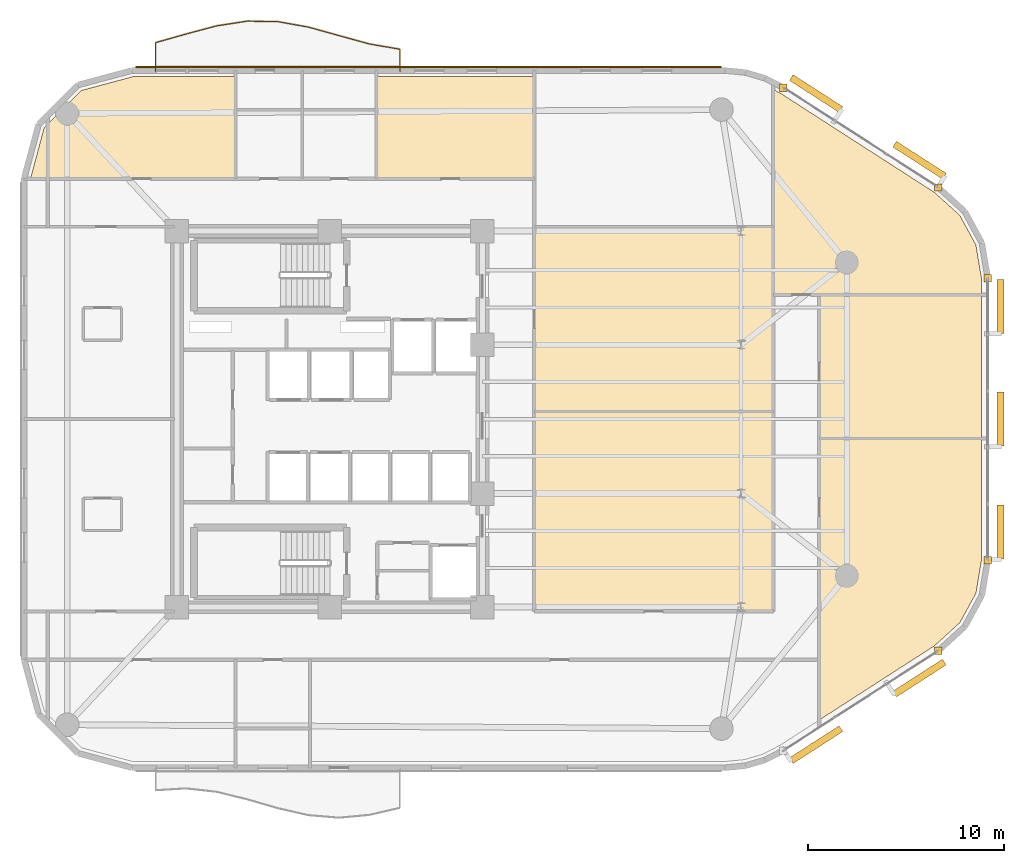
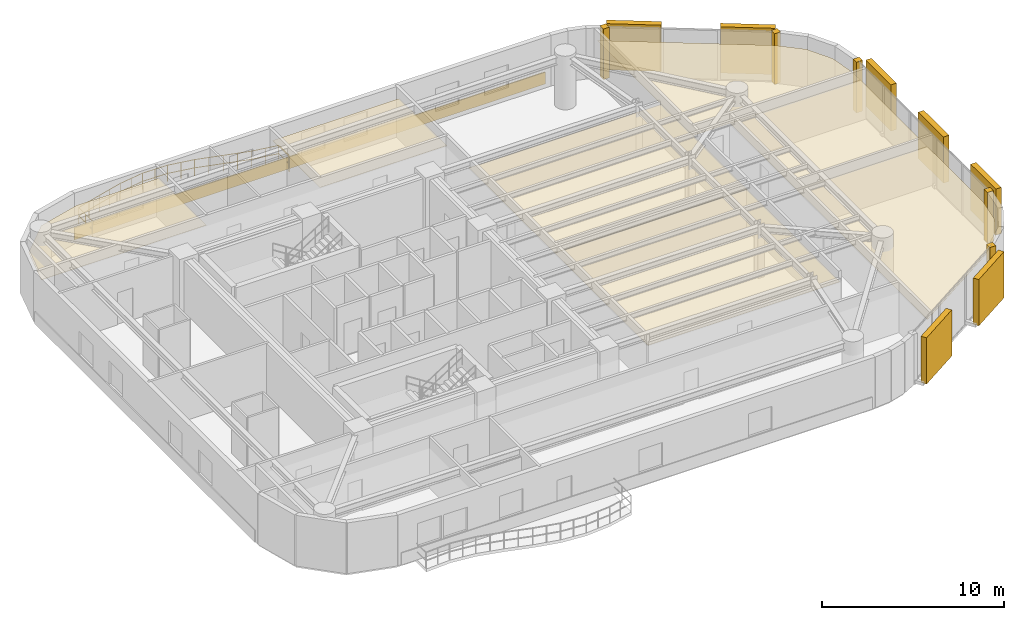
# One storey, part 15 of 15: 13 coverings, 7 shading devices, 1 railing.
"""IFC4 building model written with IfcOpenShell, lengths in metres."""

from ifc_helpers import new_model, si_unit, direction, frame, origin, origin_2d, place, context, subcontext, project, spatial, polyline, rectangle, circle, outline, extrude, material, layer, layer_set, type_object, element, save


model = new_model("IFC4")

# Units and contexts
model_context = context("Model", 3, precision=1e-05, world=origin(), true_north=direction((0.0, 1.0)))
body_context = subcontext(model_context, "Body", "Model", "MODEL_VIEW")
ifc_project = project(units=[si_unit("LENGTHUNIT", "METRE"), si_unit("AREAUNIT", "SQUARE_METRE"), si_unit("VOLUMEUNIT", "CUBIC_METRE"), si_unit("PLANEANGLEUNIT", "RADIAN"), si_unit("MASSUNIT", "GRAM", prefix="KILO")], contexts=[model_context])

# Site, building, storey
site_placement = place(None, origin())
site = spatial("IfcSite", under=ifc_project, at=site_placement, CompositionType="ELEMENT")
building_placement = place(site_placement, origin())
building = spatial("IfcBuilding", under=site, at=building_placement, Name="An Khanh Terracotta Commons", CompositionType="ELEMENT")
storey_placement = place(building_placement, frame((0.0, 0.0, 169.0)))
storey = spatial("IfcBuildingStorey", under=building, at=storey_placement, Name="L44", CompositionType="ELEMENT", Elevation=169.0)

# Coverings
ifc_material_1 = material(Name="Perforated Mineral-Fibre Acoustic Tile")
ifc_layer_1 = layer(ifc_material_1, 0.02001953125, Name="Perforated Mineral-Fibre Acoustic Tile")
ifc_layer_set_1 = layer_set([ifc_layer_1], Name="Perforated Mineral-Fibre Acoustic Tile")
covering_type_1 = type_object("IfcCoveringType", Name="CEIL-ACOUSTIC-18", PredefinedType="CEILING", material=ifc_layer_set_1)
covering_1_placement = place(storey_placement, frame((0.0, 0.0, 2.64990234375)))
element("IfcCovering", 1, at=covering_1_placement, inside=storey, type_object=covering_type_1, Name="L44 Riverfront Reading Hall Ceiling", PredefinedType="CEILING", context=body_context, shape_type="SweptSolid", body=[
    extrude(outline(polyline([(39.85009765625, 24.39990234375), (52.050048828125, 24.39990234375), (52.050048828125, 14.179931640625), (39.85009765625, 14.179931640625), (39.85009765625, 24.39990234375)])), origin(), (0.0, 0.0, 1.0), 0.02001953125),
])
covering_2_placement = place(storey_placement, frame((0.0, 0.0, 2.64990234375)))
element("IfcCovering", 2, at=covering_2_placement, inside=storey, type_object=covering_type_1, Name="L44 Academic Seminar Room Ceiling", PredefinedType="CEILING", context=body_context, shape_type="SweptSolid", body=[
    extrude(outline(polyline([(39.85009765625, 33.820068359375), (52.050048828125, 33.820068359375), (52.050048828125, 30.35009765625), (52.050048828125, 24.39990234375), (39.85009765625, 24.39990234375), (39.85009765625, 33.820068359375)])), origin(), (0.0, 0.0, 1.0), 0.02001953125),
])
covering_3_placement = place(storey_placement, frame((0.0, 0.0, 2.64990234375)))
element("IfcCovering", 3, at=covering_3_placement, inside=storey, type_object=covering_type_1, Name="L44 Collaborative Study Lounge Ceiling", PredefinedType="CEILING", context=body_context, shape_type="SweptSolid", body=[
    extrude(outline(polyline([(52.39892578125, 40.64697265625), (60.281982421875, 35.569091796875), (61.571044921875, 34.39697265625), (62.39111328125, 32.89111328125), (62.679931640625, 31.173095703125), (62.679931640625, 30.35009765625), (54.39990234375, 30.35009765625), (52.050048828125, 30.35009765625), (52.050048828125, 40.827880859375), (52.39892578125, 40.64697265625)])), origin(), (0.0, 0.0, 1.0), 0.02001953125),
])
covering_4_placement = place(storey_placement, frame((0.0, 0.0, 2.64990234375)))
element("IfcCovering", 4, at=covering_4_placement, inside=storey, type_object=covering_type_1, Name="L44 Collaborative Study Lounge Ceiling", PredefinedType="CEILING", context=body_context, shape_type="SweptSolid", body=[
    extrude(outline(polyline([(62.679931640625, 23.0), (54.39990234375, 23.0), (54.39990234375, 30.35009765625), (62.679931640625, 30.35009765625), (62.679931640625, 23.0)])), origin(), (0.0, 0.0, 1.0), 0.02001953125),
])
covering_5_placement = place(storey_placement, frame((0.0, 0.0, 2.64990234375)))
element("IfcCovering", 5, at=covering_5_placement, inside=storey, type_object=covering_type_1, Name="L44 Collaborative Study Lounge Ceiling", PredefinedType="CEILING", context=body_context, shape_type="SweptSolid", body=[
    extrude(outline(polyline([(62.679931640625, 16.826904296875), (62.39111328125, 15.10888671875), (61.571044921875, 13.60302734375), (60.281982421875, 12.430908203125), (54.39990234375, 8.64208984375), (54.39990234375, 11.719970703125), (54.39990234375, 14.179931640625), (54.39990234375, 23.0), (62.679931640625, 23.0), (62.679931640625, 16.826904296875)])), origin(), (0.0, 0.0, 1.0), 0.02001953125),
])
covering_6_placement = place(storey_placement, frame((0.0, 0.0, 2.64990234375)))
element("IfcCovering", 6, at=covering_6_placement, inside=storey, type_object=covering_type_1, Name="L44 Academic Seminar Room Ceiling", PredefinedType="CEILING", context=body_context, shape_type="SweptSolid", body=[
    extrude(outline(polyline([(19.342041015625, 41.47998046875), (24.60009765625, 41.47998046875), (24.60009765625, 39.800048828125), (24.60009765625, 36.280029296875), (15.0, 36.280029296875), (14.1259765625, 36.280029296875), (14.823974609375, 38.884033203125), (16.716064453125, 40.77587890625), (19.342041015625, 41.47998046875)])), origin(), (0.0, 0.0, 1.0), 0.02001953125),
])
covering_7_placement = place(storey_placement, frame((0.0, 0.0, 2.64990234375)))
element("IfcCovering", 7, at=covering_7_placement, inside=storey, type_object=covering_type_1, Name="L44 Academic Seminar Room Ceiling", PredefinedType="CEILING", context=body_context, shape_type="SweptSolid", body=[
    extrude(outline(polyline([(39.85009765625, 41.47998046875), (39.85009765625, 36.280029296875), (37.5, 36.280029296875), (31.800048828125, 36.280029296875), (31.800048828125, 39.800048828125), (31.800048828125, 41.47998046875), (39.85009765625, 41.47998046875)])), origin(), (0.0, 0.0, 1.0), 0.02001953125),
])
ifc_material_2 = material(Name="Fired Terracotta Rainscreen Cladding", Category="masonry")
ifc_layer_2 = layer(ifc_material_2, 0.080078125, Name="Fired Terracotta Rainscreen Cladding")
ifc_layer_set_2 = layer_set([ifc_layer_2], Name="Fired Terracotta Rainscreen Cladding")
covering_type_2 = type_object("IfcCoveringType", Name="COV-JAMB-TERRA", PredefinedType="CLADDING", material=ifc_layer_set_2)
for number, where, z_axis, x_axis, name in (
    (8, (60.47802734375, 12.176025390625, 0.0), (0.0, 0.0, 1.0), (1.0, 0.0, 0.0), "L44 CW-03 Curtain-Wall Jamb Closure JB"),
    (9, (63.0, 16.800048828125, 0.0), (0.0, 0.0, 1.0), (1.0, 0.0, 0.0), "L44 CW-03 Curtain-Wall Jamb Closure JA"),
    (10, (63.0, 31.199951171875, 0.0), (0.0, 0.0, 1.0), (1.0, 0.0, 0.0), "L44 CW-03 Curtain-Wall Jamb Closure JB"),
    (11, (60.47802734375, 35.823974609375, 0.0), (0.0, 0.0, 1.0), (1.0, 0.0, 0.0), "L44 CW-03 Curtain-Wall Jamb Closure JA"),
    (12, (52.56005859375, 40.924072265625, 0.0), (0.0, 0.0, 1.0), (1.0, 0.0, 0.0), "L44 CW-03 Curtain-Wall Jamb Closure JB"),
):
    element("IfcCovering", number, at=place(storey_placement, frame(where, z_axis=z_axis, x_axis=x_axis)), inside=storey, type_object=covering_type_2, Name=name, PredefinedType="CLADDING", context=body_context, shape_type="SweptSolid", body=[
        extrude(rectangle(XDim=0.3798828125, YDim=0.3798828125, at=origin_2d()), origin(), (0.0, 0.0, 1.0), 3.39990234375),
    ])
ifc_layer_3 = layer(ifc_material_2, 0.06005859375, Name="Fired Terracotta Rainscreen Cladding")
ifc_layer_set_3 = layer_set([ifc_layer_3], Name="Fired Terracotta Rainscreen Cladding")
covering_type_3 = type_object("IfcCoveringType", Name="COV-SPANDREL-TERRA", PredefinedType="CLADDING", material=ifc_layer_set_3)
covering_8_placement = place(storey_placement, frame((34.44091796875, 41.97998046875, 0.02001953125), z_axis=(0.0, 0.0, 1.0), x_axis=(-1.0, 0.0, 0.0)))
element("IfcCovering", 13, at=covering_8_placement, inside=storey, type_object=covering_type_3, Name="L44 Terracotta Spandrel Cladding 20", PredefinedType="CLADDING", context=body_context, shape_type="SweptSolid", body=[
    extrude(rectangle(XDim=29.882080078125, YDim=0.06005859375, at=origin_2d()), origin(), (0.0, 0.0, 1.0), 0.800048828125),
])

# Railing
ifc_material_3 = material(Name="Brushed Stainless Steel 316", Category="steel")
railing_type = type_object("IfcRailingType", Name="RAIL-BALUSTRADE-1100", PredefinedType="BALUSTRADE", material=ifc_material_3)
railing_placement = place(storey_placement, frame((33.0, 41.739990234375, 0.0)))
element("IfcRailing", 14, at=railing_placement, inside=storey, type_object=railing_type, Name="L44 N Wave Balcony Guard Balustrade", PredefinedType="BALUSTRADE", context=body_context, shape_type="SweptSolid", body=[
    extrude(circle(Radius=0.02392578125, at=origin_2d()), frame((0.0, 0.0, 1.076171875), z_axis=(0.0, 1.0, 0.0), x_axis=(-1.0, 0.0, 0.0)), (0.0, 0.0, 1.0), 1.139892578125),
    extrude(circle(Radius=0.02392578125, at=origin_2d()), frame((0.0, 0.0, 0.52587890625), z_axis=(0.0, 1.0, 0.0), x_axis=(-1.0, 0.0, 0.0)), (0.0, 0.0, 1.0), 1.139892578125),
    extrude(circle(Radius=0.02392578125, at=origin_2d()), frame((0.0, 1.139892578125, 1.076171875), z_axis=(-0.985591453525, 0.169143391055, 0.0), x_axis=(-0.169143391055, -0.985591453525, 0.0)), (0.0, 0.0, 1.0), 1.5849609375),
    extrude(circle(Radius=0.02392578125, at=origin_2d()), frame((0.0, 1.139892578125, 0.52587890625), z_axis=(-0.985591453525, 0.169143391055, 0.0), x_axis=(-0.169143391055, -0.985591453525, 0.0)), (0.0, 0.0, 1.0), 1.5849609375),
    extrude(circle(Radius=0.02392578125, at=origin_2d()), frame((-1.56201171875, 1.407958984375, 1.076171875), z_axis=(-0.964188063465, 0.265219490747, 0.0), x_axis=(-0.265219490747, -0.964188063465, 0.0)), (0.0, 0.0, 1.0), 1.62109375),
    extrude(circle(Radius=0.02392578125, at=origin_2d()), frame((-1.56201171875, 1.407958984375, 0.52587890625), z_axis=(-0.964188063465, 0.265219490747, 0.0), x_axis=(-0.265219490747, -0.964188063465, 0.0)), (0.0, 0.0, 1.0), 1.62109375),
    extrude(circle(Radius=0.02392578125, at=origin_2d()), frame((-3.125, 1.837890625, 1.076171875), z_axis=(-0.963530845868, 0.267597288965, 0.0), x_axis=(-0.267597288965, -0.963530845868, 0.0)), (0.0, 0.0, 1.0), 1.6220703125),
    extrude(circle(Radius=0.02392578125, at=origin_2d()), frame((-3.125, 1.837890625, 0.52587890625), z_axis=(-0.963530845868, 0.267597288965, 0.0), x_axis=(-0.267597288965, -0.963530845868, 0.0)), (0.0, 0.0, 1.0), 1.6220703125),
    extrude(circle(Radius=0.02392578125, at=origin_2d()), frame((-4.68798828125, 2.27197265625, 1.076171875), z_axis=(-0.984307540876, 0.176461511314, 0.0), x_axis=(-0.176461511314, -0.984307540876, 0.0)), (0.0, 0.0, 1.0), 1.5869140625),
    extrude(circle(Radius=0.02392578125, at=origin_2d()), frame((-4.68798828125, 2.27197265625, 0.52587890625), z_axis=(-0.984307540876, 0.176461511314, 0.0), x_axis=(-0.176461511314, -0.984307540876, 0.0)), (0.0, 0.0, 1.0), 1.5869140625),
    extrude(circle(Radius=0.02392578125, at=origin_2d()), frame((-6.25, 2.552001953125, 1.076171875), z_axis=(-0.999882711003, 0.015315490103, 0.0), x_axis=(-0.015315490103, -0.999882711003, 0.0)), (0.0, 0.0, 1.0), 1.562255859375),
    extrude(circle(Radius=0.02392578125, at=origin_2d()), frame((-6.25, 2.552001953125, 0.52587890625), z_axis=(-0.999882711003, 0.015315490103, 0.0), x_axis=(-0.015315490103, -0.999882711003, 0.0)), (0.0, 0.0, 1.0), 1.562255859375),
    extrude(circle(Radius=0.02392578125, at=origin_2d()), frame((-7.81201171875, 2.575927734375, 1.076171875), z_axis=(-0.988323460888, -0.152370392986, 0.0), x_axis=(0.152370392986, -0.988323460888, 0.0)), (0.0, 0.0, 1.0), 1.58154296875),
    extrude(circle(Radius=0.02392578125, at=origin_2d()), frame((-7.81201171875, 2.575927734375, 0.52587890625), z_axis=(-0.988323460888, -0.152370392986, 0.0), x_axis=(0.152370392986, -0.988323460888, 0.0)), (0.0, 0.0, 1.0), 1.58154296875),
    extrude(circle(Radius=0.02392578125, at=origin_2d()), frame((-9.375, 2.3349609375, 1.076171875), z_axis=(-0.966054375725, -0.258338814627, 0.0), x_axis=(0.258338814627, -0.966054375725, 0.0)), (0.0, 0.0, 1.0), 1.617919921875),
    extrude(circle(Radius=0.02392578125, at=origin_2d()), frame((-9.375, 2.3349609375, 0.52587890625), z_axis=(-0.966054375725, -0.258338814627, 0.0), x_axis=(0.258338814627, -0.966054375725, 0.0)), (0.0, 0.0, 1.0), 1.617919921875),
    extrude(circle(Radius=0.02392578125, at=origin_2d()), frame((-10.93798828125, 1.9169921875, 1.076171875), z_axis=(-0.962235782275, -0.272217375104, 0.0), x_axis=(0.272217375104, -0.962235782275, 0.0)), (0.0, 0.0, 1.0), 1.623291015625),
    extrude(circle(Radius=0.02392578125, at=origin_2d()), frame((-10.93798828125, 1.9169921875, 0.52587890625), z_axis=(-0.962235782275, -0.272217375104, 0.0), x_axis=(0.272217375104, -0.962235782275, 0.0)), (0.0, 0.0, 1.0), 1.623291015625),
    extrude(circle(Radius=0.02392578125, at=origin_2d()), frame((-12.5, 1.47509765625, 1.076171875), z_axis=(0.0, -1.0, 0.0), x_axis=(1.0, 0.0, 0.0)), (0.0, 0.0, 1.0), 1.47509765625),
    extrude(circle(Radius=0.02392578125, at=origin_2d()), frame((-12.5, 1.47509765625, 0.52587890625), z_axis=(0.0, -1.0, 0.0), x_axis=(1.0, 0.0, 0.0)), (0.0, 0.0, 1.0), 1.47509765625),
    extrude(circle(Radius=0.02099609375, at=origin_2d()), origin(), (0.0, 0.0, 1.0), 1.052001953125),
    extrude(circle(Radius=0.02099609375, at=origin_2d()), frame((0.0, 1.139892578125, 0.0)), (0.0, 0.0, 1.0), 1.052001953125),
    extrude(circle(Radius=0.02099609375, at=origin_2d()), frame((-0.781005859375, 1.27392578125, 0.0)), (0.0, 0.0, 1.0), 1.052001953125),
    extrude(circle(Radius=0.02099609375, at=origin_2d()), frame((-1.56201171875, 1.407958984375, 0.0)), (0.0, 0.0, 1.0), 1.052001953125),
    extrude(circle(Radius=0.02099609375, at=origin_2d()), frame((-2.343505859375, 1.623046875, 0.0)), (0.0, 0.0, 1.0), 1.052001953125),
    extrude(circle(Radius=0.02099609375, at=origin_2d()), frame((-3.125, 1.837890625, 0.0)), (0.0, 0.0, 1.0), 1.052001953125),
    extrude(circle(Radius=0.02099609375, at=origin_2d()), frame((-3.906494140625, 2.054931640625, 0.0)), (0.0, 0.0, 1.0), 1.052001953125),
    extrude(circle(Radius=0.02099609375, at=origin_2d()), frame((-4.68798828125, 2.27197265625, 0.0)), (0.0, 0.0, 1.0), 1.052001953125),
    extrude(circle(Radius=0.02099609375, at=origin_2d()), frame((-5.468994140625, 2.412109375, 0.0)), (0.0, 0.0, 1.0), 1.052001953125),
    extrude(circle(Radius=0.02099609375, at=origin_2d()), frame((-6.25, 2.552001953125, 0.0)), (0.0, 0.0, 1.0), 1.052001953125),
    extrude(circle(Radius=0.02099609375, at=origin_2d()), frame((-7.031005859375, 2.56396484375, 0.0)), (0.0, 0.0, 1.0), 1.052001953125),
    extrude(circle(Radius=0.02099609375, at=origin_2d()), frame((-7.81201171875, 2.575927734375, 0.0)), (0.0, 0.0, 1.0), 1.052001953125),
    extrude(circle(Radius=0.02099609375, at=origin_2d()), frame((-8.593505859375, 2.45556640625, 0.0)), (0.0, 0.0, 1.0), 1.052001953125),
    extrude(circle(Radius=0.02099609375, at=origin_2d()), frame((-9.375, 2.3349609375, 0.0)), (0.0, 0.0, 1.0), 1.052001953125),
    extrude(circle(Radius=0.02099609375, at=origin_2d()), frame((-10.156494140625, 2.1259765625, 0.0)), (0.0, 0.0, 1.0), 1.052001953125),
    extrude(circle(Radius=0.02099609375, at=origin_2d()), frame((-10.93798828125, 1.9169921875, 0.0)), (0.0, 0.0, 1.0), 1.052001953125),
    extrude(circle(Radius=0.02099609375, at=origin_2d()), frame((-11.718994140625, 1.696044921875, 0.0)), (0.0, 0.0, 1.0), 1.052001953125),
    extrude(circle(Radius=0.02099609375, at=origin_2d()), frame((-12.5, 1.47509765625, 0.0)), (0.0, 0.0, 1.0), 1.052001953125),
    extrude(circle(Radius=0.02099609375, at=origin_2d()), frame((-12.5, 0.737548828125, 0.0)), (0.0, 0.0, 1.0), 1.052001953125),
    extrude(circle(Radius=0.02099609375, at=origin_2d()), frame((-12.5, 0.0, 0.0)), (0.0, 0.0, 1.0), 1.052001953125),
])

# Shading devices
ifc_material_4 = material(Name="Extruded Fired Terracotta", Category="masonry")
shading_device_type = type_object("IfcShadingDeviceType", Name="Terracotta Baguette Screen Assembly", PredefinedType="USERDEFINED", material=ifc_material_4)
for number, where, z_axis, x_axis, name in (
    (15, (54.23193359375, 7.3798828125, 0.14990234375), (0.0, 0.0, 1.0), (0.840702081986, 0.541497931062, 0.0), "L44 Terracotta Baguette Screen 1"),
    (16, (59.510009765625, 10.780029296875, 0.14990234375), (0.0, 0.0, 1.0), (0.840702081986, 0.541497931062, 0.0), "L44 Terracotta Baguette Screen 3"),
):
    element("IfcShadingDevice", number, at=place(storey_placement, frame(where, z_axis=z_axis, x_axis=x_axis)), inside=storey, type_object=shading_device_type, Name=name, ObjectType="BAGUETTE", PredefinedType="USERDEFINED", context=body_context, shape_type="SweptSolid", body=[
        extrude(rectangle(XDim=3.01904296875, YDim=0.35009765625, at=origin_2d()), origin(), (0.0, 0.0, 1.0), 3.10009765625),
    ])
for number, where, z_axis, x_axis, name in (
    (17, (63.64990234375, 18.239990234375, 0.14990234375), (0.0, 0.0, 1.0), (0.0, 1.0, 0.0), "L44 Terracotta Baguette Screen 1"),
    (18, (63.64990234375, 24.0, 0.14990234375), (0.0, 0.0, 1.0), (0.0, 1.0, 0.0), "L44 Terracotta Baguette Screen 3"),
    (19, (63.64990234375, 29.760009765625, 0.14990234375), (0.0, 0.0, 1.0), (0.0, 1.0, 0.0), "L44 Terracotta Baguette Screen 5"),
):
    element("IfcShadingDevice", number, at=place(storey_placement, frame(where, z_axis=z_axis, x_axis=x_axis)), inside=storey, type_object=shading_device_type, Name=name, ObjectType="BAGUETTE", PredefinedType="USERDEFINED", context=body_context, shape_type="SweptSolid", body=[
        extrude(rectangle(XDim=2.760009765625, YDim=0.35009765625, at=origin_2d()), origin(), (0.0, 0.0, 1.0), 3.10009765625),
    ])
for number, where, z_axis, x_axis, name in (
    (20, (59.510009765625, 37.219970703125, 0.14990234375), (0.0, 0.0, 1.0), (-0.840702081986, 0.541497931062, 0.0), "L44 Terracotta Baguette Screen 1"),
    (21, (54.23193359375, 40.6201171875, 0.14990234375), (0.0, 0.0, 1.0), (-0.840702081986, 0.541497931062, 0.0), "L44 Terracotta Baguette Screen 3"),
):
    element("IfcShadingDevice", number, at=place(storey_placement, frame(where, z_axis=z_axis, x_axis=x_axis)), inside=storey, type_object=shading_device_type, Name=name, ObjectType="BAGUETTE", PredefinedType="USERDEFINED", context=body_context, shape_type="SweptSolid", body=[
        extrude(rectangle(XDim=3.01904296875, YDim=0.35009765625, at=origin_2d()), origin(), (0.0, 0.0, 1.0), 3.10009765625),
    ])

save(model, "model.ifc")
